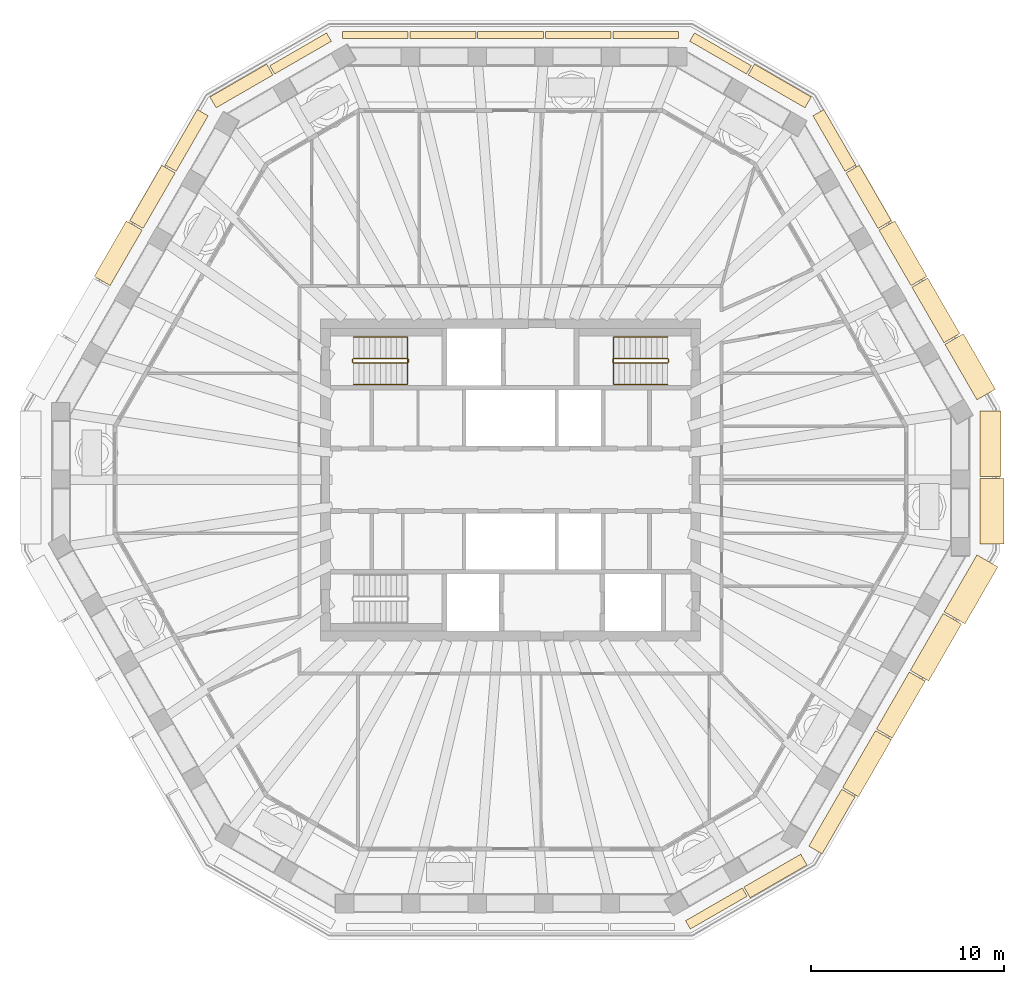
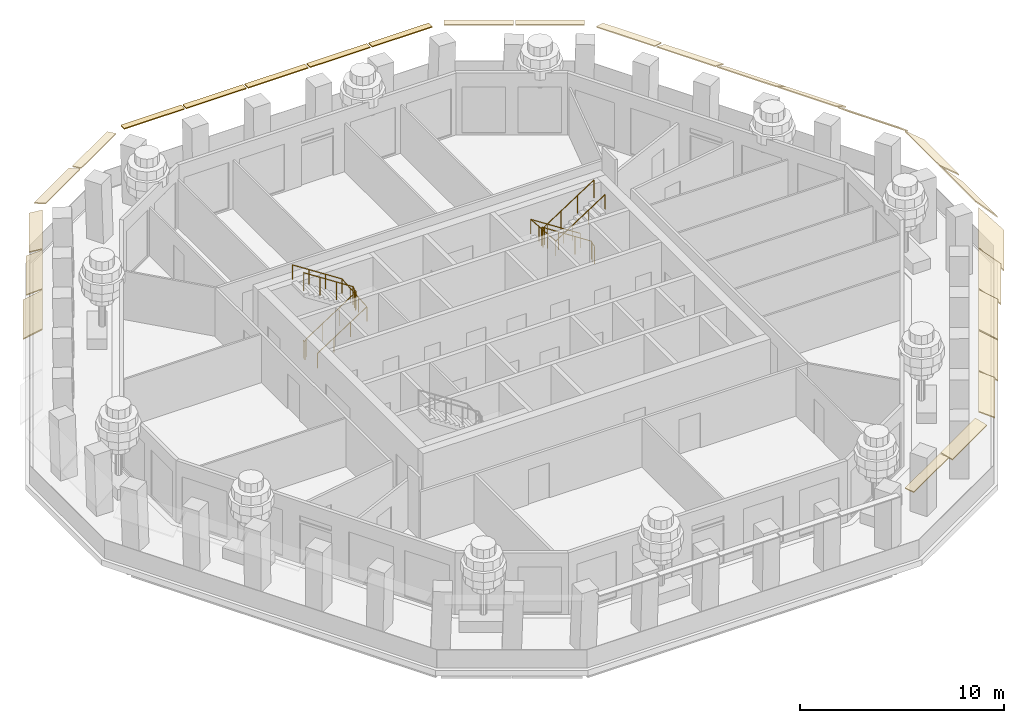
# One storey, part 10 of 13: 26 coverings, 4 railings.
"""IFC4 building model written with IfcOpenShell, lengths in metres."""

from ifc_helpers import new_model, si_unit, direction, frame, origin, origin_2d, place, context, subcontext, project, spatial, polyline, circle, outline, extrude, material, layer, layer_set, type_object, element, save


model = new_model("IFC4")

# Units and contexts
model_context = context("Model", 3, precision=1e-05, world=origin(), true_north=direction((0.0, 1.0)))
body_context = subcontext(model_context, "Body", "Model", "MODEL_VIEW")
ifc_project = project(units=[si_unit("LENGTHUNIT", "METRE"), si_unit("AREAUNIT", "SQUARE_METRE"), si_unit("VOLUMEUNIT", "CUBIC_METRE"), si_unit("PLANEANGLEUNIT", "RADIAN"), si_unit("MASSUNIT", "GRAM", prefix="KILO")], contexts=[model_context])

# Site, building, storey
site_placement = place(None, origin())
site = spatial("IfcSite", under=ifc_project, at=site_placement, CompositionType="ELEMENT")
building_placement = place(site_placement, origin())
building = spatial("IfcBuilding", under=site, at=building_placement, Name="Frailejon Research Tower", CompositionType="ELEMENT")
storey_placement = place(building_placement, frame((0.0, 0.0, 263.0)))
storey = spatial("IfcBuildingStorey", under=building, at=storey_placement, Name="L57", CompositionType="ELEMENT", Elevation=263.0)

# Coverings
ifc_material_1 = material(Name="Precast concrete C50/60", Category="concrete")
ifc_layer_1 = layer(ifc_material_1, 0.06005859375)
ifc_layer_set_1 = layer_set([ifc_layer_1], Name="Brim blade depth 1100")
covering_type_1 = type_object("IfcCoveringType", Name="Brim blade depth 1100", PredefinedType="CLADDING", material=ifc_layer_set_1)
covering_1_placement = place(storey_placement, frame((24.346435546875, 3.57763671875, 3.85009765625), z_axis=(0.0, -1.0, 0.0), x_axis=(1.0, 0.0, 0.0)))
element("IfcCovering", 1, at=covering_1_placement, inside=storey, type_object=covering_type_1, Name="Brim blade L57", PredefinedType="CLADDING", context=body_context, shape_type="SweptSolid", body=[
    extrude(outline(polyline([(0.0, -0.078369140625), (1.10009765625, -1.001220703125), (1.10009765625, -0.923095703125), (0.0, 0.0), (0.0, -0.078369140625)])), origin(), (0.0, 0.0, 1.0), 3.402099609375),
])
covering_2_placement = place(storey_placement, frame((22.53271484375, 7.0234375, 3.85009765625), z_axis=(0.500007407134, -0.866021127232, 0.0), x_axis=(0.866021127232, 0.500007407134, 0.0)))
element("IfcCovering", 2, at=covering_2_placement, inside=storey, type_object=covering_type_1, Name="Brim blade L57", PredefinedType="CLADDING", context=body_context, shape_type="SweptSolid", body=[
    extrude(outline(polyline([(0.0, -0.078369140625), (1.10009765625, -1.001220703125), (1.10009765625, -0.923095703125), (0.0, 0.0), (0.0, -0.078369140625)])), origin(), (0.0, 0.0, 1.0), 3.322509765625),
])
covering_3_placement = place(storey_placement, frame((22.439208984375, -6.93408203125, 3.85009765625), z_axis=(-0.499988002313, -0.866032330542, 0.0), x_axis=(0.866032330542, -0.499988002313, 0.0)))
element("IfcCovering", 3, at=covering_3_placement, inside=storey, type_object=covering_type_1, Name="Brim blade L57", PredefinedType="CLADDING", context=body_context, shape_type="SweptSolid", body=[
    extrude(outline(polyline([(0.0, -0.078369140625), (1.10009765625, -1.001220703125), (1.10009765625, -0.923095703125), (0.0, 0.0), (0.0, -0.078369140625)])), origin(), (0.0, 0.0, 1.0), 3.40966796875),
])
ifc_material_2 = material(Name="Precast concrete C50/60", Category="concrete")
ifc_layer_2 = layer(ifc_material_2, 0.06005859375)
ifc_layer_set_2 = layer_set([ifc_layer_2], Name="Brim blade depth 1250")
covering_type_2 = type_object("IfcCoveringType", Name="Brim blade depth 1250", PredefinedType="CLADDING", material=ifc_layer_set_2)
covering_4_placement = place(storey_placement, frame((24.346435546875, 0.07568359375, 3.85009765625), z_axis=(0.0, -1.0, 0.0), x_axis=(1.0, 0.0, 0.0)))
element("IfcCovering", 4, at=covering_4_placement, inside=storey, type_object=covering_type_2, Name="Brim blade L57", PredefinedType="CLADDING", context=body_context, shape_type="SweptSolid", body=[
    extrude(outline(polyline([(0.0, -0.0888671875), (1.25, -1.452880859375), (1.25, -1.364013671875), (0.0, 0.0), (0.0, -0.0888671875)])), origin(), (0.0, 0.0, 1.0), 3.402099609375),
])
covering_5_placement = place(storey_placement, frame((24.194091796875, -3.89453125, 3.85009765625), z_axis=(-0.500009371909, -0.866019992843, 0.0), x_axis=(0.866019992843, -0.500009371909, 0.0)))
element("IfcCovering", 5, at=covering_5_placement, inside=storey, type_object=covering_type_2, Name="Brim blade L57", PredefinedType="CLADDING", context=body_context, shape_type="SweptSolid", body=[
    extrude(outline(polyline([(0.0, -0.0888671875), (1.25, -1.452880859375), (1.25, -1.364013671875), (0.0, 0.0), (0.0, -0.0888671875)])), origin(), (0.0, 0.0, 1.0), 3.40966796875),
])
ifc_material_3 = material(Name="Precast concrete C50/60", Category="concrete")
ifc_layer_3 = layer(ifc_material_3, 0.06005859375)
ifc_layer_set_3 = layer_set([ifc_layer_3], Name="Brim blade depth 350")
covering_type_3 = type_object("IfcCoveringType", Name="Brim blade depth 350", PredefinedType="CLADDING", material=ifc_layer_set_3)
for number, where, z_axis, x_axis, name in (
    (6, (5.314697265625, 22.89990234375, 3.85009765625), (1.0, 0.0, 0.0), (0.0, 1.0, 0.0), "Brim blade L57"),
    (7, (1.804931640625, 22.89990234375, 3.85009765625), (1.0, 0.0, 0.0), (0.0, 1.0, 0.0), "Brim blade L57"),
):
    element("IfcCovering", number, at=place(storey_placement, frame(where, z_axis=z_axis, x_axis=x_axis)), inside=storey, type_object=covering_type_3, Name=name, PredefinedType="CLADDING", context=body_context, shape_type="SweptSolid", body=[
        extrude(outline(polyline([(0.0, -0.06005859375), (0.35009765625, -0.06005859375), (0.35009765625, 0.0), (0.0, 0.0), (0.0, -0.06005859375)])), origin(), (0.0, 0.0, 1.0), 3.40966796875),
    ])
covering_6_placement = place(storey_placement, frame((-1.704833984375, 22.89990234375, 3.85009765625), z_axis=(1.0, 0.0, 0.0), x_axis=(0.0, 1.0, 0.0)))
element("IfcCovering", 8, at=covering_6_placement, inside=storey, type_object=covering_type_3, Name="Brim blade L57", PredefinedType="CLADDING", context=body_context, shape_type="SweptSolid", body=[
    extrude(outline(polyline([(0.0, -0.06005859375), (0.35009765625, -0.06005859375), (0.35009765625, 0.0), (0.0, 0.0), (0.0, -0.06005859375)])), origin(), (0.0, 0.0, 1.0), 3.409912109375),
])
for number, where, z_axis, x_axis, name in (
    (9, (-5.214599609375, 22.89990234375, 3.85009765625), (1.0, 0.0, 0.0), (0.0, 1.0, 0.0), "Brim blade L57"),
    (10, (-8.724365234375, 22.89990234375, 3.85009765625), (1.0, 0.0, 0.0), (0.0, 1.0, 0.0), "Brim blade L57"),
):
    element("IfcCovering", number, at=place(storey_placement, frame(where, z_axis=z_axis, x_axis=x_axis)), inside=storey, type_object=covering_type_3, Name=name, PredefinedType="CLADDING", context=body_context, shape_type="SweptSolid", body=[
        extrude(outline(polyline([(0.0, -0.06005859375), (0.35009765625, -0.06005859375), (0.35009765625, 0.0), (0.0, 0.0), (0.0, -0.06005859375)])), origin(), (0.0, 0.0, 1.0), 3.40966796875),
    ])
ifc_material_4 = material(Name="Precast concrete C50/60", Category="concrete")
ifc_layer_4 = layer(ifc_material_4, 0.06005859375)
ifc_layer_set_4 = layer_set([ifc_layer_4], Name="Brim blade depth 500")
covering_type_4 = type_object("IfcCoveringType", Name="Brim blade depth 500", PredefinedType="CLADDING", material=ifc_layer_set_4)
for number, where, z_axis, x_axis, name in (
    (11, (9.29248046875, 22.747802734375, 3.85009765625), (0.866023907216, -0.500002592124, 0.0), (0.500002592124, 0.866023907216, 0.0), "Brim blade L57"),
    (12, (-12.23876953125, 21.046630859375, 3.85009765625), (0.866023907216, 0.500002592124, 0.0), (-0.500002592124, 0.866023907216, 0.0), "Brim blade L57"),
    (13, (12.02099609375, -21.17236328125, 3.85009765625), (-0.866023907216, -0.500002592124, 0.0), (0.500002592124, -0.866023907216, 0.0), "Brim blade L57"),
):
    element("IfcCovering", number, at=place(storey_placement, frame(where, z_axis=z_axis, x_axis=x_axis)), inside=storey, type_object=covering_type_4, Name=name, PredefinedType="CLADDING", context=body_context, shape_type="SweptSolid", body=[
        extrude(outline(polyline([(0.0, -0.060546875), (0.5, -0.130859375), (0.5, -0.0703125), (0.0, 0.0), (0.0, -0.060546875)])), origin(), (0.0, 0.0, 1.0), 3.402099609375),
    ])
ifc_material_5 = material(Name="Precast concrete C50/60", Category="concrete")
ifc_layer_5 = layer(ifc_material_5, 0.06005859375)
ifc_layer_set_5 = layer_set([ifc_layer_5], Name="Brim blade depth 650")
covering_type_5 = type_object("IfcCoveringType", Name="Brim blade depth 650", PredefinedType="CLADDING", material=ifc_layer_set_5)
covering_7_placement = place(storey_placement, frame((15.6875, 18.879638671875, 3.85009765625), z_axis=(0.500029320092, -0.86600847516, 0.0), x_axis=(0.86600847516, 0.500029320092, 0.0)))
element("IfcCovering", 14, at=covering_7_placement, inside=storey, type_object=covering_type_5, Name="Brim blade L57", PredefinedType="CLADDING", context=body_context, shape_type="SweptSolid", body=[
    extrude(outline(polyline([(0.0, -0.0625), (0.64990234375, -0.248779296875), (0.64990234375, -0.186279296875), (0.0, 0.0), (0.0, -0.0625)])), origin(), (0.0, 0.0, 1.0), 3.322509765625),
])
for number, where, z_axis, x_axis, name in (
    (15, (12.325439453125, 20.99658203125, 3.85009765625), (0.866016768138, -0.50001495708, 0.0), (0.50001495708, 0.866016768138, 0.0), "Brim blade L57"),
    (16, (-15.271484375, 19.295654296875, 3.85009765625), (0.866016768138, 0.50001495708, 0.0), (-0.50001495708, 0.866016768138, 0.0), "Brim blade L57"),
):
    element("IfcCovering", number, at=place(storey_placement, frame(where, z_axis=z_axis, x_axis=x_axis)), inside=storey, type_object=covering_type_5, Name=name, PredefinedType="CLADDING", context=body_context, shape_type="SweptSolid", body=[
        extrude(outline(polyline([(0.0, -0.0625), (0.64990234375, -0.248779296875), (0.64990234375, -0.186279296875), (0.0, 0.0), (0.0, -0.0625)])), origin(), (0.0, 0.0, 1.0), 3.40185546875),
    ])
covering_8_placement = place(storey_placement, frame((-17.348876953125, 16.002197265625, 3.85009765625), z_axis=(0.500029320092, 0.86600847516, 0.0), x_axis=(-0.86600847516, 0.500029320092, 0.0)))
element("IfcCovering", 17, at=covering_8_placement, inside=storey, type_object=covering_type_5, Name="Brim blade L57", PredefinedType="CLADDING", context=body_context, shape_type="SweptSolid", body=[
    extrude(outline(polyline([(0.0, -0.0625), (0.64990234375, -0.248779296875), (0.64990234375, -0.186279296875), (0.0, 0.0), (0.0, -0.0625)])), origin(), (0.0, 0.0, 1.0), 3.322509765625),
])
covering_9_placement = place(storey_placement, frame((15.0537109375, -19.42138671875, 3.85009765625), z_axis=(-0.866023907216, -0.500002592124, 0.0), x_axis=(0.500002592124, -0.866023907216, 0.0)))
element("IfcCovering", 18, at=covering_9_placement, inside=storey, type_object=covering_type_5, Name="Brim blade L57", PredefinedType="CLADDING", context=body_context, shape_type="SweptSolid", body=[
    extrude(outline(polyline([(0.0, -0.0625), (0.64990234375, -0.248779296875), (0.64990234375, -0.186279296875), (0.0, 0.0), (0.0, -0.0625)])), origin(), (0.0, 0.0, 1.0), 3.402099609375),
])
ifc_material_6 = material(Name="Precast concrete C50/60", Category="concrete")
ifc_layer_6 = layer(ifc_material_6, 0.06005859375)
ifc_layer_set_6 = layer_set([ifc_layer_6], Name="Brim blade depth 800")
covering_type_6 = type_object("IfcCoveringType", Name="Brim blade depth 800", PredefinedType="CLADDING", material=ifc_layer_set_6)
for number, where, z_axis, x_axis, name in (
    (19, (17.39892578125, 15.915771484375, 3.85009765625), (0.499994755735, -0.866028431541, 0.0), (0.866028431541, 0.499994755735, 0.0), "Brim blade L57"),
    (20, (-19.060302734375, 13.0380859375, 3.85009765625), (0.499994755735, 0.866028431541, 0.0), (-0.866028431541, 0.499994755735, 0.0), "Brim blade L57"),
):
    element("IfcCovering", number, at=place(storey_placement, frame(where, z_axis=z_axis, x_axis=x_axis)), inside=storey, type_object=covering_type_6, Name=name, PredefinedType="CLADDING", context=body_context, shape_type="SweptSolid", body=[
        extrude(outline(polyline([(0.0, -0.065673828125), (0.800048828125, -0.421875), (0.800048828125, -0.356201171875), (0.0, 0.0), (0.0, -0.065673828125)])), origin(), (0.0, 0.0, 1.0), 3.322509765625),
    ])
covering_10_placement = place(storey_placement, frame((17.1748046875, -16.052490234375, 3.85009765625), z_axis=(-0.500009371909, -0.866019992843, 0.0), x_axis=(0.866019992843, -0.500009371909, 0.0)))
element("IfcCovering", 21, at=covering_10_placement, inside=storey, type_object=covering_type_6, Name="Brim blade L57", PredefinedType="CLADDING", context=body_context, shape_type="SweptSolid", body=[
    extrude(outline(polyline([(0.0, -0.065673828125), (0.800048828125, -0.421875), (0.800048828125, -0.356201171875), (0.0, 0.0), (0.0, -0.065673828125)])), origin(), (0.0, 0.0, 1.0), 3.40966796875),
])
ifc_material_7 = material(Name="Precast concrete C50/60", Category="concrete")
ifc_layer_7 = layer(ifc_material_7, 0.06005859375)
ifc_layer_set_7 = layer_set([ifc_layer_7], Name="Brim blade depth 950")
covering_type_7 = type_object("IfcCoveringType", Name="Brim blade depth 950", PredefinedType="CLADDING", material=ifc_layer_set_7)
for number, where, z_axis, x_axis, name in (
    (22, (20.821533203125, 9.987548828125, 3.85009765625), (0.499994755735, -0.866028431541, 0.0), (0.866028431541, 0.499994755735, 0.0), "Brim blade L57"),
    (23, (19.110107421875, 12.95166015625, 3.85009765625), (0.499994755735, -0.866028431541, 0.0), (0.866028431541, 0.499994755735, 0.0), "Brim blade L57"),
    (24, (-20.771484375, 10.07421875, 3.85009765625), (0.499994755735, 0.866028431541, 0.0), (-0.866028431541, 0.499994755735, 0.0), "Brim blade L57"),
):
    element("IfcCovering", number, at=place(storey_placement, frame(where, z_axis=z_axis, x_axis=x_axis)), inside=storey, type_object=covering_type_7, Name=name, PredefinedType="CLADDING", context=body_context, shape_type="SweptSolid", body=[
        extrude(outline(polyline([(0.0, -0.07080078125), (0.949951171875, -0.664306640625), (0.949951171875, -0.593505859375), (0.0, 0.0), (0.0, -0.07080078125)])), origin(), (0.0, 0.0, 1.0), 3.322509765625),
    ])
for number, where, z_axis, x_axis, name in (
    (25, (18.929443359375, -13.012939453125, 3.85009765625), (-0.499988002313, -0.866032330542, 0.0), (0.866032330542, -0.499988002313, 0.0), "Brim blade L57"),
    (26, (20.684326171875, -9.9736328125, 3.85009765625), (-0.500021710064, -0.86601286911, 0.0), (0.86601286911, -0.500021710064, 0.0), "Brim blade L57"),
):
    element("IfcCovering", number, at=place(storey_placement, frame(where, z_axis=z_axis, x_axis=x_axis)), inside=storey, type_object=covering_type_7, Name=name, PredefinedType="CLADDING", context=body_context, shape_type="SweptSolid", body=[
        extrude(outline(polyline([(0.0, -0.07080078125), (0.949951171875, -0.664306640625), (0.949951171875, -0.593505859375), (0.0, 0.0), (0.0, -0.07080078125)])), origin(), (0.0, 0.0, 1.0), 3.40966796875),
    ])

# Railings
ifc_material_8 = material(Name="Stainless steel", Category="steel")
railing_type_1 = type_object("IfcRailingType", Name="Stair guard 1100", PredefinedType="GUARDRAIL", material=ifc_material_8)
railing_1_placement = place(storey_placement, frame((-8.199951171875, 6.25, 0.0)))
element("IfcRailing", 27, at=railing_1_placement, inside=storey, type_object=railing_type_1, Name="L57 ST1 stair guard 1", PredefinedType="GUARDRAIL", context=body_context, shape_type="SweptSolid", body=[
    extrude(circle(Radius=0.02392578125, at=origin_2d()), frame((0.0, 0.0, 1.076171875), z_axis=(0.0, -1.0, 0.0), x_axis=(1.0, 0.0, 0.0)), (0.0, 0.0, 1.0), 0.14990234375),
    extrude(circle(Radius=0.02392578125, at=origin_2d()), frame((0.0, -0.14990234375, 1.076171875), z_axis=(0.256435381639, -0.256435381639, 0.931923704005), x_axis=(0.707106781187, 0.707106781187, 0.0)), (0.0, 0.0, 1.0), 0.195068359375),
    extrude(circle(Radius=0.02392578125, at=origin_2d()), frame((0.050048828125, -0.199951171875, 1.2578125), z_axis=(0.83868413941, 0.0, 0.544618136222), x_axis=(0.0, 1.0, 0.0)), (0.0, 0.0, 1.0), 3.33837890625),
    extrude(circle(Radius=0.02392578125, at=origin_2d()), frame((2.849853515625, -0.199951171875, 3.076171875), z_axis=(0.707106781187, 0.707106781187, 0.0), x_axis=(-0.707106781187, 0.707106781187, 0.0)), (0.0, 0.0, 1.0), 0.07080078125),
    extrude(circle(Radius=0.02392578125, at=origin_2d()), frame((2.89990234375, -0.14990234375, 3.076171875), z_axis=(0.0, 1.0, 0.0), x_axis=(-1.0, 0.0, 0.0)), (0.0, 0.0, 1.0), 0.14990234375),
    extrude(circle(Radius=0.02392578125, at=origin_2d()), frame((2.89990234375, 0.0, 3.076171875), z_axis=(-0.256435381639, 0.256435381639, 0.931923704005), x_axis=(-0.707106781187, -0.707106781187, 0.0)), (0.0, 0.0, 1.0), 0.195068359375),
    extrude(circle(Radius=0.02392578125, at=origin_2d()), frame((2.849853515625, 0.050048828125, 3.2578125), z_axis=(-0.83868413941, 0.0, 0.544618136222), x_axis=(0.0, -1.0, 0.0)), (0.0, 0.0, 1.0), 3.33837890625),
    extrude(circle(Radius=0.02099609375, at=origin_2d()), origin(), (0.0, 0.0, 1.0), 1.052001953125),
    extrude(circle(Radius=0.02099609375, at=origin_2d()), frame((0.0, -0.14990234375, 0.0)), (0.0, 0.0, 1.0), 1.052001953125),
    extrude(circle(Radius=0.02099609375, at=origin_2d()), frame((0.050048828125, -0.199951171875, 0.181884765625)), (0.0, 0.0, 1.0), 1.052001953125),
    extrude(circle(Radius=0.02099609375, at=origin_2d()), frame((0.9833984375, -0.199951171875, 0.787841796875)), (0.0, 0.0, 1.0), 1.052001953125),
    extrude(circle(Radius=0.02099609375, at=origin_2d()), frame((1.91650390625, -0.199951171875, 1.39404296875)), (0.0, 0.0, 1.0), 1.052001953125),
    extrude(circle(Radius=0.02099609375, at=origin_2d()), frame((2.849853515625, -0.199951171875, 2.0)), (0.0, 0.0, 1.0), 1.052001953125),
    extrude(circle(Radius=0.02099609375, at=origin_2d()), frame((2.89990234375, -0.14990234375, 2.0)), (0.0, 0.0, 1.0), 1.052001953125),
    extrude(circle(Radius=0.02099609375, at=origin_2d()), frame((2.89990234375, 0.0, 2.0)), (0.0, 0.0, 1.0), 1.052001953125),
    extrude(circle(Radius=0.02099609375, at=origin_2d()), frame((2.849853515625, 0.050048828125, 2.181884765625)), (0.0, 0.0, 1.0), 1.052001953125),
    extrude(circle(Radius=0.02099609375, at=origin_2d()), frame((1.91650390625, 0.050048828125, 2.787841796875)), (0.0, 0.0, 1.0), 1.052001953125),
    extrude(circle(Radius=0.02099609375, at=origin_2d()), frame((0.9833984375, 0.050048828125, 3.39404296875)), (0.0, 0.0, 1.0), 1.052001953125),
    extrude(circle(Radius=0.02099609375, at=origin_2d()), frame((0.050048828125, 0.050048828125, 4.0)), (0.0, 0.0, 1.0), 1.052001953125),
])
railing_2_placement = place(storey_placement, frame((8.199951171875, 6.10009765625, 0.0)))
element("IfcRailing", 28, at=railing_2_placement, inside=storey, type_object=railing_type_1, Name="L57 ST3 stair guard 1", PredefinedType="GUARDRAIL", context=body_context, shape_type="SweptSolid", body=[
    extrude(circle(Radius=0.02392578125, at=origin_2d()), frame((0.0, 0.0, 1.076171875), z_axis=(0.0, 1.0, 0.0), x_axis=(-1.0, 0.0, 0.0)), (0.0, 0.0, 1.0), 0.14990234375),
    extrude(circle(Radius=0.02392578125, at=origin_2d()), frame((0.0, 0.14990234375, 1.076171875), z_axis=(-0.256435381639, 0.256435381639, 0.931923704005), x_axis=(-0.707106781187, -0.707106781187, 0.0)), (0.0, 0.0, 1.0), 0.195068359375),
    extrude(circle(Radius=0.02392578125, at=origin_2d()), frame((-0.050048828125, 0.199951171875, 1.2578125), z_axis=(-0.83868413941, 0.0, 0.544618136222), x_axis=(0.0, -1.0, 0.0)), (0.0, 0.0, 1.0), 3.33837890625),
    extrude(circle(Radius=0.02392578125, at=origin_2d()), frame((-2.849853515625, 0.199951171875, 3.076171875), z_axis=(-0.707106781187, -0.707106781187, 0.0), x_axis=(0.707106781187, -0.707106781187, 0.0)), (0.0, 0.0, 1.0), 0.07080078125),
    extrude(circle(Radius=0.02392578125, at=origin_2d()), frame((-2.89990234375, 0.14990234375, 3.076171875), z_axis=(0.0, -1.0, 0.0), x_axis=(1.0, 0.0, 0.0)), (0.0, 0.0, 1.0), 0.14990234375),
    extrude(circle(Radius=0.02392578125, at=origin_2d()), frame((-2.89990234375, 0.0, 3.076171875), z_axis=(0.256435381639, -0.256435381639, 0.931923704005), x_axis=(0.707106781187, 0.707106781187, 0.0)), (0.0, 0.0, 1.0), 0.195068359375),
    extrude(circle(Radius=0.02392578125, at=origin_2d()), frame((-2.849853515625, -0.050048828125, 3.2578125), z_axis=(0.83868413941, 0.0, 0.544618136222), x_axis=(0.0, 1.0, 0.0)), (0.0, 0.0, 1.0), 3.33837890625),
    extrude(circle(Radius=0.02099609375, at=origin_2d()), origin(), (0.0, 0.0, 1.0), 1.052001953125),
    extrude(circle(Radius=0.02099609375, at=origin_2d()), frame((0.0, 0.14990234375, 0.0)), (0.0, 0.0, 1.0), 1.052001953125),
    extrude(circle(Radius=0.02099609375, at=origin_2d()), frame((-0.050048828125, 0.199951171875, 0.181884765625)), (0.0, 0.0, 1.0), 1.052001953125),
    extrude(circle(Radius=0.02099609375, at=origin_2d()), frame((-0.9833984375, 0.199951171875, 0.787841796875)), (0.0, 0.0, 1.0), 1.052001953125),
    extrude(circle(Radius=0.02099609375, at=origin_2d()), frame((-1.91650390625, 0.199951171875, 1.39404296875)), (0.0, 0.0, 1.0), 1.052001953125),
    extrude(circle(Radius=0.02099609375, at=origin_2d()), frame((-2.849853515625, 0.199951171875, 2.0)), (0.0, 0.0, 1.0), 1.052001953125),
    extrude(circle(Radius=0.02099609375, at=origin_2d()), frame((-2.89990234375, 0.14990234375, 2.0)), (0.0, 0.0, 1.0), 1.052001953125),
    extrude(circle(Radius=0.02099609375, at=origin_2d()), frame((-2.89990234375, 0.0, 2.0)), (0.0, 0.0, 1.0), 1.052001953125),
    extrude(circle(Radius=0.02099609375, at=origin_2d()), frame((-2.849853515625, -0.050048828125, 2.181884765625)), (0.0, 0.0, 1.0), 1.052001953125),
    extrude(circle(Radius=0.02099609375, at=origin_2d()), frame((-1.91650390625, -0.050048828125, 2.787841796875)), (0.0, 0.0, 1.0), 1.052001953125),
    extrude(circle(Radius=0.02099609375, at=origin_2d()), frame((-0.9833984375, -0.050048828125, 3.39404296875)), (0.0, 0.0, 1.0), 1.052001953125),
    extrude(circle(Radius=0.02099609375, at=origin_2d()), frame((-0.050048828125, -0.050048828125, 4.0)), (0.0, 0.0, 1.0), 1.052001953125),
])
ifc_material_9 = material(Name="Stainless steel", Category="steel")
railing_type_2 = type_object("IfcRailingType", Name="Stair handrail 900", PredefinedType="HANDRAIL", material=ifc_material_9)
railing_3_placement = place(storey_placement, frame((-8.14990234375, 4.949951171875, 0.181884765625)))
element("IfcRailing", 29, at=railing_3_placement, inside=storey, type_object=railing_type_2, Name="L57 ST1 stair handrail 1", PredefinedType="HANDRAIL", context=body_context, shape_type="SweptSolid", body=[
    extrude(circle(Radius=0.02392578125, at=origin_2d()), frame((0.0, 0.0, 0.8759765625), z_axis=(0.83868413941, 0.0, 0.544618136222), x_axis=(0.0, 1.0, 0.0)), (0.0, 0.0, 1.0), 3.33837890625),
    extrude(circle(Radius=0.02392578125, at=origin_2d()), frame((2.7998046875, 0.0, 2.69384765625), z_axis=(0.0, 0.997255538948, 0.074036410216), x_axis=(-1.0, 0.0, 0.0)), (0.0, 0.0, 1.0), 2.456787109375),
    extrude(circle(Radius=0.02392578125, at=origin_2d()), frame((2.7998046875, 2.449951171875, 2.8759765625), z_axis=(-0.83868413941, 0.0, 0.544618136222), x_axis=(0.0, -1.0, 0.0)), (0.0, 0.0, 1.0), 3.33837890625),
    extrude(circle(Radius=0.02099609375, at=origin_2d()), origin(), (0.0, 0.0, 1.0), 0.851806640625),
    extrude(circle(Radius=0.02099609375, at=origin_2d()), frame((0.933349609375, 0.0, 0.60595703125)), (0.0, 0.0, 1.0), 0.851806640625),
    extrude(circle(Radius=0.02099609375, at=origin_2d()), frame((1.866455078125, 0.0, 1.212158203125)), (0.0, 0.0, 1.0), 0.851806640625),
    extrude(circle(Radius=0.02099609375, at=origin_2d()), frame((2.7998046875, 0.0, 1.818115234375)), (0.0, 0.0, 1.0), 0.851806640625),
    extrude(circle(Radius=0.02099609375, at=origin_2d()), frame((2.7998046875, 0.816650390625, 1.878662109375)), (0.0, 0.0, 1.0), 0.851806640625),
    extrude(circle(Radius=0.02099609375, at=origin_2d()), frame((2.7998046875, 1.63330078125, 1.939453125)), (0.0, 0.0, 1.0), 0.851806640625),
    extrude(circle(Radius=0.02099609375, at=origin_2d()), frame((2.7998046875, 2.449951171875, 2.0)), (0.0, 0.0, 1.0), 0.851806640625),
    extrude(circle(Radius=0.02099609375, at=origin_2d()), frame((1.866455078125, 2.449951171875, 2.60595703125)), (0.0, 0.0, 1.0), 0.851806640625),
    extrude(circle(Radius=0.02099609375, at=origin_2d()), frame((0.933349609375, 2.449951171875, 3.212158203125)), (0.0, 0.0, 1.0), 0.851806640625),
    extrude(circle(Radius=0.02099609375, at=origin_2d()), frame((0.0, 2.449951171875, 3.818115234375)), (0.0, 0.0, 1.0), 0.851806640625),
])
railing_4_placement = place(storey_placement, frame((8.14990234375, 7.39990234375, 0.181884765625)))
element("IfcRailing", 30, at=railing_4_placement, inside=storey, type_object=railing_type_2, Name="L57 ST3 stair handrail 1", PredefinedType="HANDRAIL", context=body_context, shape_type="SweptSolid", body=[
    extrude(circle(Radius=0.02392578125, at=origin_2d()), frame((0.0, 0.0, 0.8759765625), z_axis=(-0.83868413941, 0.0, 0.544618136222), x_axis=(0.0, -1.0, 0.0)), (0.0, 0.0, 1.0), 3.33837890625),
    extrude(circle(Radius=0.02392578125, at=origin_2d()), frame((-2.7998046875, 0.0, 2.69384765625), z_axis=(0.0, -0.997255538948, 0.074036410216), x_axis=(1.0, 0.0, 0.0)), (0.0, 0.0, 1.0), 2.456787109375),
    extrude(circle(Radius=0.02392578125, at=origin_2d()), frame((-2.7998046875, -2.449951171875, 2.8759765625), z_axis=(0.83868413941, 0.0, 0.544618136222), x_axis=(0.0, 1.0, 0.0)), (0.0, 0.0, 1.0), 3.33837890625),
    extrude(circle(Radius=0.02099609375, at=origin_2d()), origin(), (0.0, 0.0, 1.0), 0.851806640625),
    extrude(circle(Radius=0.02099609375, at=origin_2d()), frame((-0.933349609375, 0.0, 0.60595703125)), (0.0, 0.0, 1.0), 0.851806640625),
    extrude(circle(Radius=0.02099609375, at=origin_2d()), frame((-1.866455078125, 0.0, 1.212158203125)), (0.0, 0.0, 1.0), 0.851806640625),
    extrude(circle(Radius=0.02099609375, at=origin_2d()), frame((-2.7998046875, 0.0, 1.818115234375)), (0.0, 0.0, 1.0), 0.851806640625),
    extrude(circle(Radius=0.02099609375, at=origin_2d()), frame((-2.7998046875, -0.816650390625, 1.878662109375)), (0.0, 0.0, 1.0), 0.851806640625),
    extrude(circle(Radius=0.02099609375, at=origin_2d()), frame((-2.7998046875, -1.63330078125, 1.939453125)), (0.0, 0.0, 1.0), 0.851806640625),
    extrude(circle(Radius=0.02099609375, at=origin_2d()), frame((-2.7998046875, -2.449951171875, 2.0)), (0.0, 0.0, 1.0), 0.851806640625),
    extrude(circle(Radius=0.02099609375, at=origin_2d()), frame((-1.866455078125, -2.449951171875, 2.60595703125)), (0.0, 0.0, 1.0), 0.851806640625),
    extrude(circle(Radius=0.02099609375, at=origin_2d()), frame((-0.933349609375, -2.449951171875, 3.212158203125)), (0.0, 0.0, 1.0), 0.851806640625),
    extrude(circle(Radius=0.02099609375, at=origin_2d()), frame((0.0, -2.449951171875, 3.818115234375)), (0.0, 0.0, 1.0), 0.851806640625),
])

save(model, "model.ifc")
